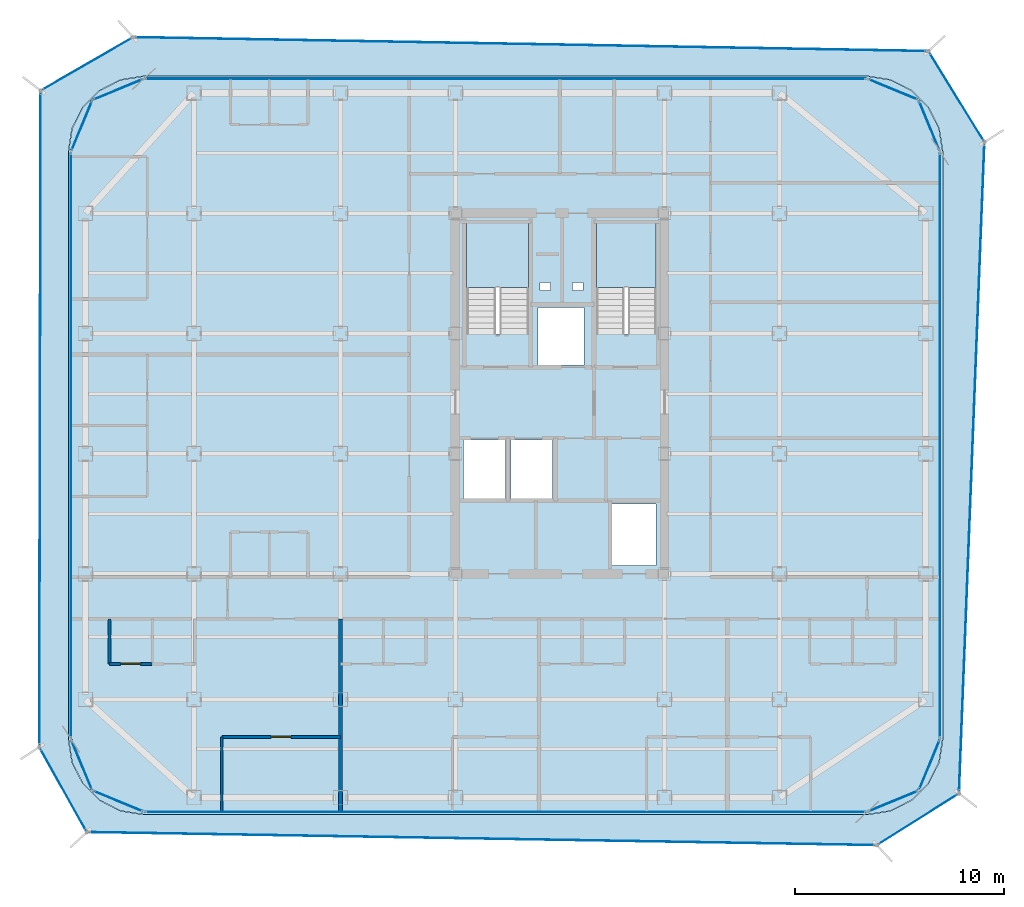
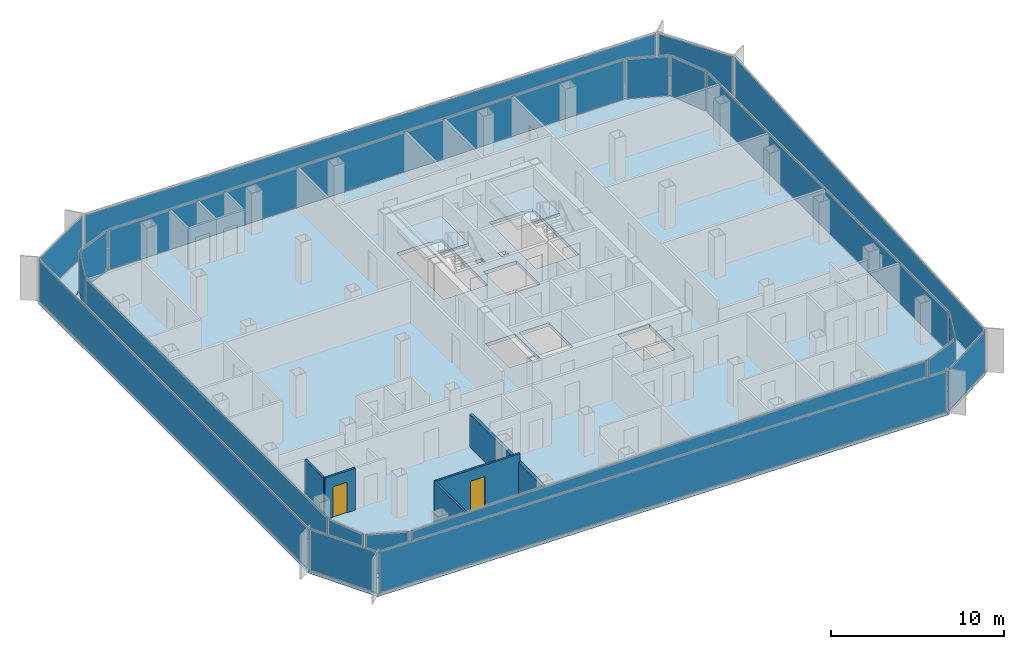
# One storey, part 9 of 16: 20 plates, 5 walls, 4 slabs, 2 doors, 2 openings, 22 elements without a shape of their own.
"""IFC4 building model written with IfcOpenShell, lengths in metres."""

from ifc_helpers import new_model, si_unit, direction, frame, frame_2d, origin, origin_2d, place, context, subcontext, project, spatial, polyline, rectangle, outline, extrude, source, transform, mapped, material, layer, layer_set, type_object, element, fill, aggregate, save


model = new_model("IFC4")

# Units and contexts
model_context = context("Model", 3, precision=1e-05, world=origin(), true_north=direction((0.0, 1.0)))
body_context = subcontext(model_context, "Body", "Model", "MODEL_VIEW")
ifc_project = project(units=[si_unit("LENGTHUNIT", "METRE"), si_unit("AREAUNIT", "SQUARE_METRE"), si_unit("VOLUMEUNIT", "CUBIC_METRE"), si_unit("PLANEANGLEUNIT", "RADIAN"), si_unit("MASSUNIT", "GRAM", prefix="KILO")], contexts=[model_context])

# Site, building, storey
site_placement = place(None, origin())
site = spatial("IfcSite", under=ifc_project, at=site_placement, CompositionType="ELEMENT")
building_placement = place(site_placement, origin())
building = spatial("IfcBuilding", under=site, at=building_placement, Name="Kolveth Station Tower", CompositionType="ELEMENT")
storey_placement = place(building_placement, frame((0.0, 0.0, 206.0)))
storey = spatial("IfcBuildingStorey", under=building, at=storey_placement, Name="L58", CompositionType="ELEMENT", Elevation=206.0)

# Slab
ifc_material_1 = material(Name="Concrete C40/50", Category="concrete")
ifc_layer_1 = layer(ifc_material_1, 0.25)
ifc_layer_set_1 = layer_set([ifc_layer_1], Name="Concrete C40/50")
slab_type_1 = type_object("IfcSlabType", Name="Slab_SF-250", PredefinedType="FLOOR", material=ifc_layer_set_1)
slab_1_placement = place(storey_placement, frame((0.0, 0.0, -0.25)))
element("IfcSlab", 1, at=slab_1_placement, inside=storey, type_object=slab_type_1, Name="L58 Tower Structural Floor Slab", PredefinedType="FLOOR", context=body_context, shape_type="SweptSolid", body=[
    extrude(outline(polyline([(38.199951171875, 0.0), (39.3125, 0.17626953125), (40.31591796875, 0.6875), (41.112548828125, 1.48388671875), (41.623779296875, 2.487548828125), (41.800048828125, 3.60009765625), (41.800048828125, 31.699951171875), (41.623779296875, 32.8125), (41.112548828125, 33.81591796875), (40.31591796875, 34.612548828125), (39.3125, 35.123779296875), (38.199951171875, 35.300048828125), (3.60009765625, 35.300048828125), (2.487548828125, 35.123779296875), (1.48388671875, 34.612548828125), (0.6875, 33.81591796875), (0.17626953125, 32.8125), (0.0, 31.699951171875), (0.0, 3.60009765625), (0.17626953125, 2.487548828125), (0.6875, 1.48388671875), (1.48388671875, 0.6875), (2.487548828125, 0.17626953125), (3.60009765625, 0.0), (38.199951171875, 0.0)]), holes=[polyline([(19.0400390625, 22.985107421875), (22.0, 22.985107421875), (22.0, 28.39990234375), (19.0400390625, 28.39990234375), (19.0400390625, 22.985107421875)]), polyline([(25.239990234375, 22.985107421875), (28.10009765625, 22.985107421875), (28.10009765625, 28.39990234375), (25.239990234375, 28.39990234375), (25.239990234375, 22.985107421875)]), polyline([(18.89990234375, 15.10009765625), (20.89990234375, 15.10009765625), (20.89990234375, 17.89990234375), (18.89990234375, 17.89990234375), (18.89990234375, 15.10009765625)]), polyline([(21.14990234375, 15.10009765625), (23.14990234375, 15.10009765625), (23.14990234375, 17.89990234375), (21.14990234375, 17.89990234375), (21.14990234375, 15.10009765625)]), polyline([(22.449951171875, 21.5), (24.64990234375, 21.5), (24.64990234375, 24.25), (22.449951171875, 24.25), (22.449951171875, 21.5)]), polyline([(26.0, 11.89990234375), (28.10009765625, 11.89990234375), (28.10009765625, 14.85009765625), (26.0, 14.85009765625), (26.0, 11.89990234375)]), polyline([(22.550048828125, 25.050048828125), (23.050048828125, 25.050048828125), (23.050048828125, 25.449951171875), (22.550048828125, 25.449951171875), (22.550048828125, 25.050048828125)]), polyline([(24.10009765625, 25.050048828125), (24.60009765625, 25.050048828125), (24.60009765625, 25.449951171875), (24.10009765625, 25.449951171875), (24.10009765625, 25.050048828125)])]), origin(), (0.0, 0.0, 1.0), 0.25),
])

# Stair, slab
stair_type_1 = type_object("IfcStairType", Name="Stair_ST2", PredefinedType="HALF_TURN_STAIR", material=ifc_material_1)
stair_1_placement = place(storey_placement, origin())
stair_1 = element("IfcStair", 2, at=stair_1_placement, inside=storey, type_object=stair_type_1, Name="L58 Tower Exit Stair ST2", PredefinedType="HALF_TURN_STAIR")
ifc_layer_2 = layer(ifc_material_1, 0.18994140625)
ifc_layer_set_2 = layer_set([ifc_layer_2], Name="Concrete C40/50")
slab_type_2 = type_object("IfcSlabType", Name="Slab_SL-190", PredefinedType="LANDING", material=ifc_layer_set_2)
slab_2_placement = place(storey_placement, frame((0.0, 0.0, 1.39990234375)))
slab_2 = element("IfcSlab", 3, at=slab_2_placement, type_object=slab_type_2, Name="ST2 landing 1", PredefinedType="LANDING", context=body_context, shape_type="SweptSolid", body=[
    extrude(outline(polyline([(28.10009765625, 25.18994140625), (28.10009765625, 28.39990234375), (25.239990234375, 28.39990234375), (25.239990234375, 25.18994140625), (28.10009765625, 25.18994140625)])), origin(), (0.0, 0.0, 1.0), 0.2001953125),
])
aggregate(stair_1, [slab_2])

stair_type_2 = type_object("IfcStairType", Name="Stair_ST1", PredefinedType="HALF_TURN_STAIR", material=ifc_material_1)
stair_2_placement = place(storey_placement, origin())
stair_2 = element("IfcStair", 4, at=stair_2_placement, inside=storey, type_object=stair_type_2, Name="L58 Tower Exit Stair ST1", PredefinedType="HALF_TURN_STAIR")
ifc_layer_3 = layer(ifc_material_1, 0.205078125)
ifc_layer_set_3 = layer_set([ifc_layer_3], Name="Concrete C40/50")
slab_type_3 = type_object("IfcSlabType", Name="Slab_SL-205", PredefinedType="LANDING", material=ifc_layer_set_3)
slab_3_placement = place(storey_placement, frame((0.0, 0.0, 1.39990234375)))
slab_3 = element("IfcSlab", 5, at=slab_3_placement, type_object=slab_type_3, Name="ST1 landing 1", PredefinedType="LANDING", context=body_context, shape_type="SweptSolid", body=[
    extrude(outline(polyline([(22.0, 25.18994140625), (22.0, 28.39990234375), (19.0400390625, 28.39990234375), (19.0400390625, 25.18994140625), (22.0, 25.18994140625)])), origin(), (0.0, 0.0, 1.0), 0.2001953125),
])
aggregate(stair_2, [slab_3])

# Slab
ifc_layer_4 = layer(ifc_material_1, 0.2099609375)
ifc_layer_set_4 = layer_set([ifc_layer_4], Name="Concrete C40/50")
slab_type_4 = type_object("IfcSlabType", Name="Slab_ST-210", PredefinedType="FLOOR", material=ifc_layer_set_4)
slab_4_placement = place(storey_placement, frame((0.0, 0.0, -0.2099609375)))
element("IfcSlab", 6, at=slab_4_placement, inside=storey, type_object=slab_type_4, Name="L58 Double-Skin Cavity Structural Ledger Ring", PredefinedType="FLOOR", context=body_context, shape_type="SweptSolid", body=[
    extrude(outline(polyline([(0.8779296875, -0.84765625), (-1.396484375, 3.221435546875), (-1.332763671875, 34.614501953125), (3.09423828125, 37.169677734375), (41.125, 36.502685546875), (43.8056640625, 32.15478515625), (42.587890625, 0.99853515625), (38.656494140625, -1.47265625), (0.8779296875, -0.84765625)]), holes=[polyline([(38.202392578125, -0.014892578125), (39.314697265625, 0.161376953125), (39.3193359375, 0.162841796875), (40.32275390625, 0.674072265625), (40.32666015625, 0.677001953125), (41.123046875, 1.473388671875), (41.1259765625, 1.477294921875), (41.63720703125, 2.480712890625), (41.638671875, 2.485107421875), (41.814697265625, 3.59765625), (41.81494140625, 3.60009765625), (41.81494140625, 31.699951171875), (41.814697265625, 31.702392578125), (41.638671875, 32.814697265625), (41.63720703125, 32.8193359375), (41.1259765625, 33.82275390625), (41.123046875, 33.82666015625), (40.32666015625, 34.623046875), (40.32275390625, 34.6259765625), (39.3193359375, 35.13720703125), (39.314697265625, 35.138671875), (38.202392578125, 35.314697265625), (38.199951171875, 35.31494140625), (3.60009765625, 35.31494140625), (3.59765625, 35.314697265625), (2.485107421875, 35.138671875), (2.480712890625, 35.13720703125), (1.477294921875, 34.6259765625), (1.473388671875, 34.623046875), (0.677001953125, 33.82666015625), (0.674072265625, 33.82275390625), (0.162841796875, 32.8193359375), (0.161376953125, 32.814697265625), (-0.014892578125, 31.702392578125), (-0.014892578125, 31.699951171875), (-0.014892578125, 3.60009765625), (-0.014892578125, 3.59765625), (0.161376953125, 2.485107421875), (0.162841796875, 2.480712890625), (0.674072265625, 1.477294921875), (0.677001953125, 1.473388671875), (1.473388671875, 0.677001953125), (1.477294921875, 0.674072265625), (2.480712890625, 0.162841796875), (2.485107421875, 0.161376953125), (3.59765625, -0.014892578125), (3.60009765625, -0.014892578125), (38.199951171875, -0.014892578125), (38.202392578125, -0.014892578125)])]), origin(), (0.0, 0.0, 1.0), 0.2099609375),
])

# Curtain wall, plate
ifc_material_2 = material(Name="Aluminium 6063-T6 and low-E dark glass", Category="aluminium")
ifc_layer_5 = layer(ifc_material_2, 0.18994140625)
ifc_layer_set_5 = layer_set([ifc_layer_5], Name="Aluminium 6063-T6 and low-E dark glass")
curtain_wall_type_1 = type_object("IfcCurtainWallType", Name="CurtainWall_CW-Z2", PredefinedType="NOTDEFINED", material=ifc_layer_set_5)
curtain_wall_1_placement = place(storey_placement, origin())
curtain_wall_1 = element("IfcCurtainWall", 7, at=curtain_wall_1_placement, inside=storey, type_object=curtain_wall_type_1, Name="L58 Inner Thermal Curtain Wall 1", PredefinedType="NOTDEFINED")
ifc_material_3 = material(Name="Architectural low-E dark glass", Category="glass")
ifc_layer_6 = layer(ifc_material_3, 0.0380859375)
ifc_layer_set_6 = layer_set([ifc_layer_6], Name="Architectural low-E dark glass")
plate_type_1 = type_object("IfcPlateType", Name="Panel_GL2", PredefinedType="CURTAIN_PANEL", material=ifc_layer_set_6)
shared_shape_1 = source(origin(), body_context, "Body", "SweptSolid", [
    extrude(rectangle(XDim=2.517578125, YDim=0.0380859375, at=origin_2d()), origin(), (0.0, 0.0, 1.0), 2.803955078125),
])
plate_1_placement = place(storey_placement, frame((39.430419921875, 0.629638671875, 0.0732421875), z_axis=(0.0, 0.0, 1.0), x_axis=(0.923873600544, 0.382697753087, 0.0)))
plate_1 = element("IfcPlate", 8, at=plate_1_placement, type_object=plate_type_1, Name="CW-Z2 panel 1.1", PredefinedType="CURTAIN_PANEL", context=body_context, shape_type="MappedRepresentation", body=[
    mapped(shared_shape_1, transform((0.0, 0.0, 0.0), x_axis=(1.0, 0.0, 0.0), y_axis=(0.0, 1.0, 0.0), z_axis=(0.0, 0.0, 1.0), scale=1.0)),
])
aggregate(curtain_wall_1, [plate_1])

curtain_wall_2_placement = place(storey_placement, origin())
curtain_wall_2 = element("IfcCurtainWall", 9, at=curtain_wall_2_placement, inside=storey, type_object=curtain_wall_type_1, Name="L58 Inner Thermal Curtain Wall 2", PredefinedType="NOTDEFINED")
plate_2_placement = place(storey_placement, frame((41.17041015625, 2.36962890625, 0.0732421875), z_axis=(0.0, 0.0, 1.0), x_axis=(0.382697753087, 0.923873600544, 0.0)))
plate_2 = element("IfcPlate", 10, at=plate_2_placement, type_object=plate_type_1, Name="CW-Z2 panel 1.1", PredefinedType="CURTAIN_PANEL", context=body_context, shape_type="MappedRepresentation", body=[
    mapped(shared_shape_1, transform((0.0, 0.0, 0.0), x_axis=(1.0, 0.0, 0.0), y_axis=(0.0, 1.0, 0.0), z_axis=(0.0, 0.0, 1.0), scale=1.0)),
])
aggregate(curtain_wall_2, [plate_2])

curtain_wall_3_placement = place(storey_placement, origin())
curtain_wall_3 = element("IfcCurtainWall", 11, at=curtain_wall_3_placement, inside=storey, type_object=curtain_wall_type_1, Name="L58 Inner Thermal Curtain Wall 4", PredefinedType="NOTDEFINED")
plate_3_placement = place(storey_placement, frame((41.17041015625, 32.930419921875, 0.0732421875), z_axis=(0.0, 0.0, 1.0), x_axis=(-0.382697753087, 0.923873600544, 0.0)))
plate_3 = element("IfcPlate", 12, at=plate_3_placement, type_object=plate_type_1, Name="CW-Z2 panel 1.1", PredefinedType="CURTAIN_PANEL", context=body_context, shape_type="MappedRepresentation", body=[
    mapped(shared_shape_1, transform((0.0, 0.0, 0.0), x_axis=(1.0, 0.0, 0.0), y_axis=(0.0, 1.0, 0.0), z_axis=(0.0, 0.0, 1.0), scale=1.0)),
])
aggregate(curtain_wall_3, [plate_3])

curtain_wall_4_placement = place(storey_placement, origin())
curtain_wall_4 = element("IfcCurtainWall", 13, at=curtain_wall_4_placement, inside=storey, type_object=curtain_wall_type_1, Name="L58 Inner Thermal Curtain Wall 5", PredefinedType="NOTDEFINED")
plate_4_placement = place(storey_placement, frame((39.430419921875, 34.67041015625, 0.0732421875), z_axis=(0.0, 0.0, 1.0), x_axis=(-0.923873600544, 0.382697753087, 0.0)))
plate_4 = element("IfcPlate", 14, at=plate_4_placement, type_object=plate_type_1, Name="CW-Z2 panel 1.1", PredefinedType="CURTAIN_PANEL", context=body_context, shape_type="MappedRepresentation", body=[
    mapped(shared_shape_1, transform((0.0, 0.0, 0.0), x_axis=(1.0, 0.0, 0.0), y_axis=(0.0, 1.0, 0.0), z_axis=(0.0, 0.0, 1.0), scale=1.0)),
])
aggregate(curtain_wall_4, [plate_4])

curtain_wall_5_placement = place(storey_placement, origin())
curtain_wall_5 = element("IfcCurtainWall", 15, at=curtain_wall_5_placement, inside=storey, type_object=curtain_wall_type_1, Name="L58 Inner Thermal Curtain Wall 7", PredefinedType="NOTDEFINED")
plate_5_placement = place(storey_placement, frame((2.36962890625, 34.67041015625, 0.0732421875), z_axis=(0.0, 0.0, 1.0), x_axis=(-0.923873600544, -0.382697753087, 0.0)))
plate_5 = element("IfcPlate", 16, at=plate_5_placement, type_object=plate_type_1, Name="CW-Z2 panel 1.1", PredefinedType="CURTAIN_PANEL", context=body_context, shape_type="MappedRepresentation", body=[
    mapped(shared_shape_1, transform((0.0, 0.0, 0.0), x_axis=(1.0, 0.0, 0.0), y_axis=(0.0, 1.0, 0.0), z_axis=(0.0, 0.0, 1.0), scale=1.0)),
])
aggregate(curtain_wall_5, [plate_5])

curtain_wall_6_placement = place(storey_placement, origin())
curtain_wall_6 = element("IfcCurtainWall", 17, at=curtain_wall_6_placement, inside=storey, type_object=curtain_wall_type_1, Name="L58 Inner Thermal Curtain Wall 8", PredefinedType="NOTDEFINED")
plate_6_placement = place(storey_placement, frame((0.629638671875, 32.930419921875, 0.0732421875), z_axis=(0.0, 0.0, 1.0), x_axis=(-0.382697753087, -0.923873600544, 0.0)))
plate_6 = element("IfcPlate", 18, at=plate_6_placement, type_object=plate_type_1, Name="CW-Z2 panel 1.1", PredefinedType="CURTAIN_PANEL", context=body_context, shape_type="MappedRepresentation", body=[
    mapped(shared_shape_1, transform((0.0, 0.0, 0.0), x_axis=(1.0, 0.0, 0.0), y_axis=(0.0, 1.0, 0.0), z_axis=(0.0, 0.0, 1.0), scale=1.0)),
])
aggregate(curtain_wall_6, [plate_6])

curtain_wall_7_placement = place(storey_placement, origin())
curtain_wall_7 = element("IfcCurtainWall", 19, at=curtain_wall_7_placement, inside=storey, type_object=curtain_wall_type_1, Name="L58 Inner Thermal Curtain Wall 10", PredefinedType="NOTDEFINED")
plate_7_placement = place(storey_placement, frame((0.629638671875, 2.36962890625, 0.0732421875), z_axis=(0.0, 0.0, 1.0), x_axis=(0.382697753087, -0.923873600544, 0.0)))
plate_7 = element("IfcPlate", 20, at=plate_7_placement, type_object=plate_type_1, Name="CW-Z2 panel 1.1", PredefinedType="CURTAIN_PANEL", context=body_context, shape_type="MappedRepresentation", body=[
    mapped(shared_shape_1, transform((0.0, 0.0, 0.0), x_axis=(1.0, 0.0, 0.0), y_axis=(0.0, 1.0, 0.0), z_axis=(0.0, 0.0, 1.0), scale=1.0)),
])
aggregate(curtain_wall_7, [plate_7])

curtain_wall_8_placement = place(storey_placement, origin())
curtain_wall_8 = element("IfcCurtainWall", 21, at=curtain_wall_8_placement, inside=storey, type_object=curtain_wall_type_1, Name="L58 Inner Thermal Curtain Wall 11", PredefinedType="NOTDEFINED")
plate_8_placement = place(storey_placement, frame((2.36962890625, 0.629638671875, 0.0732421875), z_axis=(0.0, 0.0, 1.0), x_axis=(0.923873600544, -0.382697753087, 0.0)))
plate_8 = element("IfcPlate", 22, at=plate_8_placement, type_object=plate_type_1, Name="CW-Z2 panel 1.1", PredefinedType="CURTAIN_PANEL", context=body_context, shape_type="MappedRepresentation", body=[
    mapped(shared_shape_1, transform((0.0, 0.0, 0.0), x_axis=(1.0, 0.0, 0.0), y_axis=(0.0, 1.0, 0.0), z_axis=(0.0, 0.0, 1.0), scale=1.0)),
])
aggregate(curtain_wall_8, [plate_8])

curtain_wall_9_placement = place(storey_placement, origin())
curtain_wall_9 = element("IfcCurtainWall", 23, at=curtain_wall_9_placement, inside=storey, type_object=curtain_wall_type_1, Name="L58 Inner Thermal Curtain Wall 3", PredefinedType="NOTDEFINED")
shared_shape_2 = source(origin(), body_context, "Body", "SweptSolid", [
    extrude(rectangle(XDim=27.9541015625, YDim=0.0380859375, at=origin_2d()), origin(), (0.0, 0.0, 1.0), 2.803955078125),
])
plate_9_placement = place(storey_placement, frame((41.679931640625, 17.64990234375, 0.0732421875), z_axis=(0.0, 0.0, 1.0), x_axis=(0.0, 1.0, 0.0)))
plate_9 = element("IfcPlate", 24, at=plate_9_placement, type_object=plate_type_1, Name="CW-Z2 panel 1.1", PredefinedType="CURTAIN_PANEL", context=body_context, shape_type="MappedRepresentation", body=[
    mapped(shared_shape_2, transform((0.0, 0.0, 0.0), x_axis=(1.0, 0.0, 0.0), y_axis=(0.0, 1.0, 0.0), z_axis=(0.0, 0.0, 1.0), scale=1.0)),
])
aggregate(curtain_wall_9, [plate_9])

curtain_wall_10_placement = place(storey_placement, origin())
curtain_wall_10 = element("IfcCurtainWall", 25, at=curtain_wall_10_placement, inside=storey, type_object=curtain_wall_type_1, Name="L58 Inner Thermal Curtain Wall 9", PredefinedType="NOTDEFINED")
plate_10_placement = place(storey_placement, frame((0.1201171875, 17.64990234375, 0.0732421875), z_axis=(0.0, 0.0, 1.0), x_axis=(0.0, -1.0, 0.0)))
plate_10 = element("IfcPlate", 26, at=plate_10_placement, type_object=plate_type_1, Name="CW-Z2 panel 1.1", PredefinedType="CURTAIN_PANEL", context=body_context, shape_type="MappedRepresentation", body=[
    mapped(shared_shape_2, transform((0.0, 0.0, 0.0), x_axis=(1.0, 0.0, 0.0), y_axis=(0.0, 1.0, 0.0), z_axis=(0.0, 0.0, 1.0), scale=1.0)),
])
aggregate(curtain_wall_10, [plate_10])

curtain_wall_11_placement = place(storey_placement, origin())
curtain_wall_11 = element("IfcCurtainWall", 27, at=curtain_wall_11_placement, inside=storey, type_object=curtain_wall_type_1, Name="L58 Inner Thermal Curtain Wall 6", PredefinedType="NOTDEFINED")
shared_shape_3 = source(origin(), body_context, "Body", "SweptSolid", [
    extrude(rectangle(XDim=34.4541015625, YDim=0.0380859375, at=origin_2d()), origin(), (0.0, 0.0, 1.0), 2.803955078125),
])
plate_11_placement = place(storey_placement, frame((20.89990234375, 35.179931640625, 0.0732421875), z_axis=(0.0, 0.0, 1.0), x_axis=(-1.0, 0.0, 0.0)))
plate_11 = element("IfcPlate", 28, at=plate_11_placement, type_object=plate_type_1, Name="CW-Z2 panel 1.1", PredefinedType="CURTAIN_PANEL", context=body_context, shape_type="MappedRepresentation", body=[
    mapped(shared_shape_3, transform((0.0, 0.0, 0.0), x_axis=(1.0, 0.0, 0.0), y_axis=(0.0, 1.0, 0.0), z_axis=(0.0, 0.0, 1.0), scale=1.0)),
])
aggregate(curtain_wall_11, [plate_11])

curtain_wall_12_placement = place(storey_placement, origin())
curtain_wall_12 = element("IfcCurtainWall", 29, at=curtain_wall_12_placement, inside=storey, type_object=curtain_wall_type_1, Name="L58 Inner Thermal Curtain Wall 12", PredefinedType="NOTDEFINED")
plate_12_placement = place(storey_placement, frame((20.89990234375, 0.1201171875, 0.0732421875), z_axis=(0.0, 0.0, 1.0), x_axis=(1.0, 0.0, 0.0)))
plate_12 = element("IfcPlate", 30, at=plate_12_placement, type_object=plate_type_1, Name="CW-Z2 panel 1.1", PredefinedType="CURTAIN_PANEL", context=body_context, shape_type="MappedRepresentation", body=[
    mapped(shared_shape_3, transform((0.0, 0.0, 0.0), x_axis=(1.0, 0.0, 0.0), y_axis=(0.0, 1.0, 0.0), z_axis=(0.0, 0.0, 1.0), scale=1.0)),
])
aggregate(curtain_wall_12, [plate_12])

ifc_material_4 = material(Name="Black anodized aluminium 6063-T6 and dark solar glass", Category="aluminium")
ifc_layer_7 = layer(ifc_material_4, 0.159912109375)
ifc_layer_set_7 = layer_set([ifc_layer_7], Name="Black anodized aluminium 6063-T6 and dark solar glass")
curtain_wall_type_2 = type_object("IfcCurtainWallType", Name="OUTER SKIN CW-OS", PredefinedType="NOTDEFINED", material=ifc_layer_set_7)
curtain_wall_13_placement = place(storey_placement, origin())
curtain_wall_13 = element("IfcCurtainWall", 31, at=curtain_wall_13_placement, inside=storey, type_object=curtain_wall_type_2, Name="L58 Outer Ventilated Skin Curtain Wall 1", PredefinedType="NOTDEFINED")
ifc_layer_8 = layer(ifc_material_3, 0.028076171875)
ifc_layer_set_8 = layer_set([ifc_layer_8], Name="Architectural low-E dark glass")
plate_type_2 = type_object("IfcPlateType", Name="Panel_GL-OS", PredefinedType="CURTAIN_PANEL", material=ifc_layer_set_8)
shared_shape_4 = source(origin(), body_context, "Body", "SweptSolid", [
    extrude(rectangle(XDim=4.4775390625, YDim=0.028076171875, at=origin_2d()), origin(), (0.0, 0.0, 1.0), 2.843994140625),
])
plate_13_placement = place(storey_placement, frame((40.622314453125, -0.237060546875, 0.0732421875), z_axis=(0.0, 0.0, 1.0), x_axis=(0.846633222527, 0.532176837633, 0.0)))
plate_13 = element("IfcPlate", 32, at=plate_13_placement, type_object=plate_type_2, Name="CW-OS panel 1.1", PredefinedType="CURTAIN_PANEL", context=body_context, shape_type="MappedRepresentation", body=[
    mapped(shared_shape_4, transform((0.0, 0.0, 0.0), x_axis=(1.0, 0.0, 0.0), y_axis=(0.0, 1.0, 0.0), z_axis=(0.0, 0.0, 1.0), scale=1.0)),
])
aggregate(curtain_wall_13, [plate_13])

curtain_wall_14_placement = place(storey_placement, origin())
curtain_wall_14 = element("IfcCurtainWall", 33, at=curtain_wall_14_placement, inside=storey, type_object=curtain_wall_type_2, Name="L58 Outer Ventilated Skin Curtain Wall 2", PredefinedType="NOTDEFINED")
shared_shape_5 = source(origin(), body_context, "Body", "SweptSolid", [
    extrude(rectangle(XDim=31.013916015625, YDim=0.028076171875, at=origin_2d()), origin(), (0.0, 0.0, 1.0), 2.843994140625),
])
plate_14_placement = place(storey_placement, frame((43.19677734375, 16.57666015625, 0.0732421875), z_axis=(0.0, 0.0, 1.0), x_axis=(0.039050819788, 0.999237225825, 0.0)))
plate_14 = element("IfcPlate", 34, at=plate_14_placement, type_object=plate_type_2, Name="CW-OS panel 1.1", PredefinedType="CURTAIN_PANEL", context=body_context, shape_type="MappedRepresentation", body=[
    mapped(shared_shape_5, transform((0.0, 0.0, 0.0), x_axis=(1.0, 0.0, 0.0), y_axis=(0.0, 1.0, 0.0), z_axis=(0.0, 0.0, 1.0), scale=1.0)),
])
aggregate(curtain_wall_14, [plate_14])

curtain_wall_15_placement = place(storey_placement, origin())
curtain_wall_15 = element("IfcCurtainWall", 35, at=curtain_wall_15_placement, inside=storey, type_object=curtain_wall_type_2, Name="L58 Outer Ventilated Skin Curtain Wall 3", PredefinedType="NOTDEFINED")
shared_shape_6 = source(origin(), body_context, "Body", "SweptSolid", [
    extrude(rectangle(XDim=4.94189453125, YDim=0.028076171875, at=origin_2d()), origin(), (0.0, 0.0, 1.0), 2.843994140625),
])
plate_15_placement = place(storey_placement, frame((42.46533203125, 34.32861328125, 0.0732421875), z_axis=(0.0, 0.0, 1.0), x_axis=(-0.52480832701, 0.851220429678, 0.0)))
plate_15 = element("IfcPlate", 36, at=plate_15_placement, type_object=plate_type_2, Name="CW-OS panel 1.1", PredefinedType="CURTAIN_PANEL", context=body_context, shape_type="MappedRepresentation", body=[
    mapped(shared_shape_6, transform((0.0, 0.0, 0.0), x_axis=(1.0, 0.0, 0.0), y_axis=(0.0, 1.0, 0.0), z_axis=(0.0, 0.0, 1.0), scale=1.0)),
])
aggregate(curtain_wall_15, [plate_15])

curtain_wall_16_placement = place(storey_placement, origin())
curtain_wall_16 = element("IfcCurtainWall", 37, at=curtain_wall_16_placement, inside=storey, type_object=curtain_wall_type_2, Name="L58 Outer Ventilated Skin Curtain Wall 4", PredefinedType="NOTDEFINED")
shared_shape_7 = source(origin(), body_context, "Body", "SweptSolid", [
    extrude(rectangle(XDim=37.870361328125, YDim=0.028076171875, at=origin_2d()), origin(), (0.0, 0.0, 1.0), 2.843994140625),
])
plate_16_placement = place(storey_placement, frame((22.109619140625, 36.836181640625, 0.0732421875), z_axis=(0.0, 0.0, 1.0), x_axis=(-0.999846281925, 0.017533183429, 0.0)))
plate_16 = element("IfcPlate", 38, at=plate_16_placement, type_object=plate_type_2, Name="CW-OS panel 1.1", PredefinedType="CURTAIN_PANEL", context=body_context, shape_type="MappedRepresentation", body=[
    mapped(shared_shape_7, transform((0.0, 0.0, 0.0), x_axis=(1.0, 0.0, 0.0), y_axis=(0.0, 1.0, 0.0), z_axis=(0.0, 0.0, 1.0), scale=1.0)),
])
aggregate(curtain_wall_16, [plate_16])

curtain_wall_17_placement = place(storey_placement, origin())
curtain_wall_17 = element("IfcCurtainWall", 39, at=curtain_wall_17_placement, inside=storey, type_object=curtain_wall_type_2, Name="L58 Outer Ventilated Skin Curtain Wall 5", PredefinedType="NOTDEFINED")
shared_shape_8 = source(origin(), body_context, "Body", "SweptSolid", [
    extrude(rectangle(XDim=4.945556640625, YDim=0.028076171875, at=origin_2d()), origin(), (0.0, 0.0, 1.0), 2.843994140625),
])
plate_17_placement = place(storey_placement, frame((0.880859375, 35.89208984375, 0.0732421875), z_axis=(0.0, 0.0, 1.0), x_axis=(-0.866087207688, -0.499892937216, 0.0)))
plate_17 = element("IfcPlate", 40, at=plate_17_placement, type_object=plate_type_2, Name="CW-OS panel 1.1", PredefinedType="CURTAIN_PANEL", context=body_context, shape_type="MappedRepresentation", body=[
    mapped(shared_shape_8, transform((0.0, 0.0, 0.0), x_axis=(1.0, 0.0, 0.0), y_axis=(0.0, 1.0, 0.0), z_axis=(0.0, 0.0, 1.0), scale=1.0)),
])
aggregate(curtain_wall_17, [plate_17])

curtain_wall_18_placement = place(storey_placement, origin())
curtain_wall_18 = element("IfcCurtainWall", 41, at=curtain_wall_18_placement, inside=storey, type_object=curtain_wall_type_2, Name="L58 Outer Ventilated Skin Curtain Wall 6", PredefinedType="NOTDEFINED")
shared_shape_9 = source(origin(), body_context, "Body", "SweptSolid", [
    extrude(rectangle(XDim=31.22705078125, YDim=0.028076171875, at=origin_2d()), origin(), (0.0, 0.0, 1.0), 2.843994140625),
])
plate_18_placement = place(storey_placement, frame((-1.36474609375, 18.91796875, 0.0732421875), z_axis=(0.0, 0.0, 1.0), x_axis=(-0.002035481399, -0.999997928406, 0.0)))
plate_18 = element("IfcPlate", 42, at=plate_18_placement, type_object=plate_type_2, Name="CW-OS panel 1.1", PredefinedType="CURTAIN_PANEL", context=body_context, shape_type="MappedRepresentation", body=[
    mapped(shared_shape_9, transform((0.0, 0.0, 0.0), x_axis=(1.0, 0.0, 0.0), y_axis=(0.0, 1.0, 0.0), z_axis=(0.0, 0.0, 1.0), scale=1.0)),
])
aggregate(curtain_wall_18, [plate_18])

curtain_wall_19_placement = place(storey_placement, origin())
curtain_wall_19 = element("IfcCurtainWall", 43, at=curtain_wall_19_placement, inside=storey, type_object=curtain_wall_type_2, Name="L58 Outer Ventilated Skin Curtain Wall 7", PredefinedType="NOTDEFINED")
shared_shape_10 = source(origin(), body_context, "Body", "SweptSolid", [
    extrude(rectangle(XDim=4.49560546875, YDim=0.028076171875, at=origin_2d()), origin(), (0.0, 0.0, 1.0), 2.843994140625),
])
plate_19_placement = place(storey_placement, frame((-0.25927734375, 1.18701171875, 0.0732421875), z_axis=(0.0, 0.0, 1.0), x_axis=(0.487943474216, -0.872875229325, 0.0)))
plate_19 = element("IfcPlate", 44, at=plate_19_placement, type_object=plate_type_2, Name="CW-OS panel 1.1", PredefinedType="CURTAIN_PANEL", context=body_context, shape_type="MappedRepresentation", body=[
    mapped(shared_shape_10, transform((0.0, 0.0, 0.0), x_axis=(1.0, 0.0, 0.0), y_axis=(0.0, 1.0, 0.0), z_axis=(0.0, 0.0, 1.0), scale=1.0)),
])
aggregate(curtain_wall_19, [plate_19])

curtain_wall_20_placement = place(storey_placement, origin())
curtain_wall_20 = element("IfcCurtainWall", 45, at=curtain_wall_20_placement, inside=storey, type_object=curtain_wall_type_2, Name="L58 Outer Ventilated Skin Curtain Wall 8", PredefinedType="NOTDEFINED")
shared_shape_11 = source(origin(), body_context, "Body", "SweptSolid", [
    extrude(rectangle(XDim=37.617919921875, YDim=0.028076171875, at=origin_2d()), origin(), (0.0, 0.0, 1.0), 2.843994140625),
])
plate_20_placement = place(storey_placement, frame((19.767333984375, -1.16015625, 0.0732421875), z_axis=(0.0, 0.0, 1.0), x_axis=(0.999863180127, -0.016541494062, 0.0)))
plate_20 = element("IfcPlate", 46, at=plate_20_placement, type_object=plate_type_2, Name="CW-OS panel 1.1", PredefinedType="CURTAIN_PANEL", context=body_context, shape_type="MappedRepresentation", body=[
    mapped(shared_shape_11, transform((0.0, 0.0, 0.0), x_axis=(1.0, 0.0, 0.0), y_axis=(0.0, 1.0, 0.0), z_axis=(0.0, 0.0, 1.0), scale=1.0)),
])
aggregate(curtain_wall_20, [plate_20])

# Wall, opening, door
ifc_material_5 = material(Name="Moisture-resistant gypsum partition")
ifc_layer_9 = layer(ifc_material_5, 0.135009765625)
ifc_layer_set_9 = layer_set([ifc_layer_9], Name="Moisture-resistant gypsum partition")
wall_type_1 = type_object("IfcWallType", Name="Wall_IW-135", PredefinedType="PARTITIONING", material=ifc_layer_set_9)
wall_1_placement = place(storey_placement, frame((1.949951171875, 7.199951171875, 0.0), z_axis=(0.0, 0.0, 1.0), x_axis=(1.0, 0.0, 0.0)))
wall_1 = element("IfcWall", 47, at=wall_1_placement, inside=storey, type_object=wall_type_1, Name="L58 Partition Wall WL-L58-A1-IBHK", PredefinedType="PARTITIONING", context=body_context, shape_type="SweptSolid", body=[
    extrude(rectangle(XDim=2.050048828125, YDim=0.135009765625, at=frame_2d((1.02490234375, 0.0))), origin(), (0.0, 0.0, 1.0), 2.949951171875),
])
opening_1_placement = place(wall_1_placement, frame((0.544921875, 0.0, 0.0)))
opening_1 = element("IfcOpeningElement", 48, at=opening_1_placement, cuts=wall_1, Name="Opening ID1", PredefinedType="OPENING", context=body_context, shape_type="SweptSolid", body=[
    extrude(rectangle(XDim=0.949951171875, YDim=2.14990234375, at=frame_2d((0.47509765625, 1.074951171875))), frame((0.0, 0.077392578125, 0.0), z_axis=(0.0, -1.0, 0.0), x_axis=(1.0, 0.0, 0.0)), (0.0, 0.0, 1.0), 0.155029296875),
])
ifc_material_6 = material(Name="Acoustic hardwood leaf and aluminium frame", Category="wood")
door_type = type_object("IfcDoorType", Name="Door_ID1", OperationType="NOTDEFINED", PredefinedType="DOOR", material=ifc_material_6)
door_1_placement = place(opening_1_placement, origin())
door_1 = element("IfcDoor", 49, at=door_1_placement, inside=storey, type_object=door_type, Name="Penthouse Flat L58-A1 Kitchen Door", OperationType="SINGLE_SWING_LEFT", OverallHeight=2.14990234375, OverallWidth=0.949951171875, PredefinedType="DOOR", context=body_context, shape_type="SweptSolid", body=[
    extrude(rectangle(XDim=0.949951171875, YDim=2.14990234375, at=frame_2d((0.47509765625, 1.074951171875))), frame((0.0, 0.02490234375, 0.0), z_axis=(0.0, -1.0, 0.0), x_axis=(1.0, 0.0, 0.0)), (0.0, 0.0, 1.0), 0.050048828125),
])
fill(opening_1, door_1)

# Walls
wall_2_placement = place(storey_placement, frame((1.949951171875, 7.199951171875, 0.0), z_axis=(0.0, 0.0, 1.0), x_axis=(0.0, 1.0, 0.0)))
element("IfcWall", 50, at=wall_2_placement, inside=storey, type_object=wall_type_1, Name="L58 Partition Wall WL-L58-A1-IBV0", PredefinedType="PARTITIONING", context=body_context, shape_type="SweptSolid", body=[
    extrude(rectangle(XDim=2.150146484375, YDim=0.135009765625, at=frame_2d((1.0751953125, 0.0))), origin(), (0.0, 0.0, 1.0), 2.949951171875),
])
wall_3_placement = place(storey_placement, frame((7.326904296875, 0.159912109375, 0.0), z_axis=(0.0, 0.0, 1.0), x_axis=(0.0, 1.0, 0.0)))
element("IfcWall", 51, at=wall_3_placement, inside=storey, type_object=wall_type_1, Name="L58 Partition Wall WL-L58-A1-BDV0", PredefinedType="PARTITIONING", context=body_context, shape_type="SweptSolid", body=[
    extrude(rectangle(XDim=3.550048828125, YDim=0.135009765625, at=frame_2d((1.77490234375, 0.0))), origin(), (0.0, 0.0, 1.0), 2.949951171875),
])

# Wall, opening, door
wall_4_placement = place(storey_placement, frame((7.326904296875, 3.7099609375, 0.0), z_axis=(0.0, 0.0, 1.0), x_axis=(1.0, 0.0, 0.0)))
wall_4 = element("IfcWall", 52, at=wall_4_placement, inside=storey, type_object=wall_type_1, Name="L58 Partition Wall WL-L58-A1-BDH1", PredefinedType="PARTITIONING", context=body_context, shape_type="SweptSolid", body=[
    extrude(rectangle(XDim=5.673095703125, YDim=0.135009765625, at=frame_2d((2.83642578125, 0.0))), origin(), (0.0, 0.0, 1.0), 2.949951171875),
])
opening_2_placement = place(wall_4_placement, frame((2.35595703125, 0.0, 0.0)))
opening_2 = element("IfcOpeningElement", 53, at=opening_2_placement, cuts=wall_4, Name="Opening ID1", PredefinedType="OPENING", context=body_context, shape_type="SweptSolid", body=[
    extrude(rectangle(XDim=0.949951171875, YDim=2.14990234375, at=frame_2d((0.47509765625, 1.074951171875))), frame((0.0, 0.077392578125, 0.0), z_axis=(0.0, -1.0, 0.0), x_axis=(1.0, 0.0, 0.0)), (0.0, 0.0, 1.0), 0.155029296875),
])
door_2_placement = place(opening_2_placement, frame((0.949951171875, 0.0, 0.0), z_axis=(0.0, 0.0, 1.0), x_axis=(-1.0, 0.0, 0.0)))
door_2 = element("IfcDoor", 54, at=door_2_placement, inside=storey, type_object=door_type, Name="Penthouse Flat L58-A1 Bedroom 1 Door", OperationType="SINGLE_SWING_LEFT", OverallHeight=2.14990234375, OverallWidth=0.949951171875, PredefinedType="DOOR", context=body_context, shape_type="SweptSolid", body=[
    extrude(rectangle(XDim=0.949951171875, YDim=2.14990234375, at=frame_2d((0.47509765625, 1.074951171875))), frame((0.0, 0.02490234375, 0.0), z_axis=(0.0, -1.0, 0.0), x_axis=(1.0, 0.0, 0.0)), (0.0, 0.0, 1.0), 0.050048828125),
])
fill(opening_2, door_2)

# Wall
ifc_material_7 = material(Name="Acoustic fire-rated gypsum blockwork", Category="masonry")
ifc_layer_10 = layer(ifc_material_7, 0.199951171875)
ifc_layer_set_10 = layer_set([ifc_layer_10], Name="Acoustic fire-rated gypsum blockwork")
wall_type_2 = type_object("IfcWallType", Name="Wall_IW-200", PredefinedType="PARTITIONING", material=ifc_layer_set_10)
wall_5_placement = place(storey_placement, frame((13.0, 0.159912109375, 0.0), z_axis=(0.0, 0.0, 1.0), x_axis=(0.0, 1.0, 0.0)))
element("IfcWall", 55, at=wall_5_placement, inside=storey, type_object=wall_type_2, Name="L58 Partition Wall WL-L58-RSU-1", PredefinedType="PARTITIONING", context=body_context, shape_type="SweptSolid", body=[
    extrude(rectangle(XDim=9.190185546875, YDim=0.199951171875, at=frame_2d((4.59521484375, 0.0))), origin(), (0.0, 0.0, 1.0), 2.322998046875),
])

save(model, "model.ifc")
